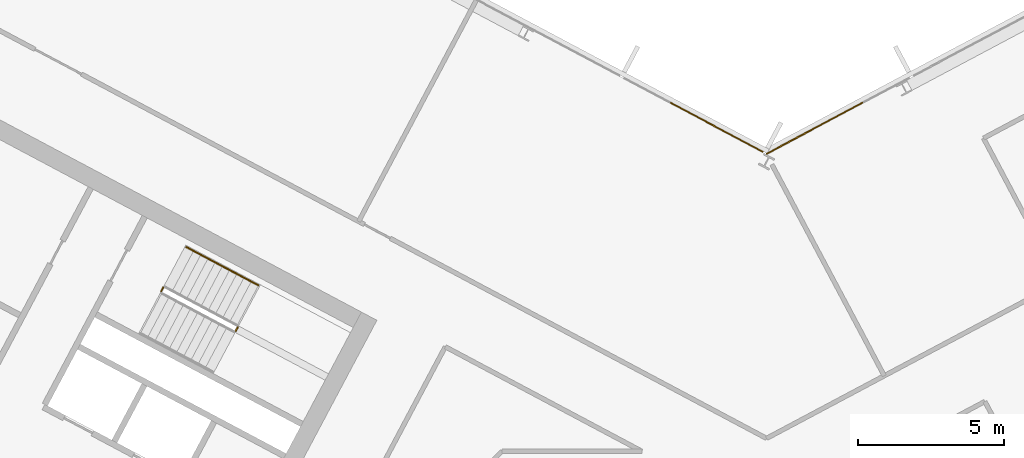
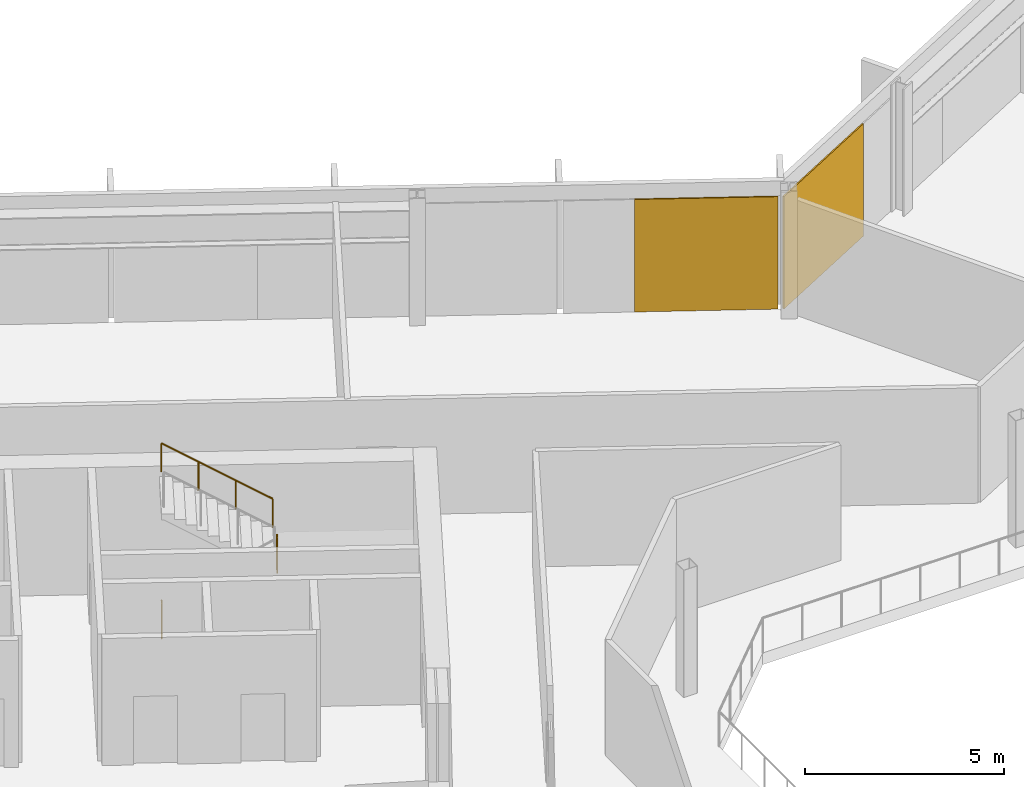
# One storey, part 23 of 27: 3 railings, 2 coverings, 2 elements without a shape of their own.
"""IFC4 building model written with IfcOpenShell, lengths in metres."""

from ifc_helpers import new_model, si_unit, direction, frame, origin, origin_2d, place, context, subcontext, project, spatial, polyline, rectangle, outline, extrude, material, layer, layer_set, type_object, element, aggregate, save


model = new_model("IFC4")

# Units and contexts
model_context = context("Model", 3, precision=1e-05, world=origin(), true_north=direction((0.0, 1.0)))
body_context = subcontext(model_context, "Body", "Model", "MODEL_VIEW")
ifc_project = project(units=[si_unit("LENGTHUNIT", "METRE"), si_unit("AREAUNIT", "SQUARE_METRE"), si_unit("VOLUMEUNIT", "CUBIC_METRE"), si_unit("PLANEANGLEUNIT", "RADIAN"), si_unit("MASSUNIT", "GRAM", prefix="KILO")], contexts=[model_context])

# Site, building, storey
site_placement = place(None, origin())
site = spatial("IfcSite", under=ifc_project, at=site_placement, CompositionType="ELEMENT")
building_placement = place(site_placement, origin())
building = spatial("IfcBuilding", under=site, at=building_placement, Name="Cormorant Relay Tower", CompositionType="ELEMENT")
storey_placement = place(building_placement, frame((0.0, 0.0, 240.300048828125)))
storey = spatial("IfcBuildingStorey", under=building, at=storey_placement, Name="L53", CompositionType="ELEMENT", Elevation=240.300048828125)

# Curtain wall, covering
ifc_material_1 = material(Name="Aluminium 6063-T6 anodised bronze", Category="aluminium")
ifc_layer_1 = layer(ifc_material_1, 0.199951171875)
ifc_layer_set_1 = layer_set([ifc_layer_1], Name="CW1 unitised bronze curtain wall with vertical fins")
curtain_wall_type = type_object("IfcCurtainWallType", Name="CW1 unitised bronze curtain wall with vertical fins", PredefinedType="NOTDEFINED", material=ifc_layer_set_1)
curtain_wall_1_placement = place(storey_placement, origin())
curtain_wall_1 = element("IfcCurtainWall", 1, at=curtain_wall_1_placement, inside=storey, type_object=curtain_wall_type, Name="CW1 curtain wall 8", PredefinedType="NOTDEFINED")
ifc_material_2 = material(Name="Pale bronze anodised aluminium insulated panel", Category="aluminium")
ifc_layer_2 = layer(ifc_material_2, 0.0400390625)
ifc_layer_set_2 = layer_set([ifc_layer_2], Name="CW1 pale bronze insulated panel 40")
covering_type = type_object("IfcCoveringType", Name="CW1 pale bronze insulated panel 40", PredefinedType="CLADDING", material=ifc_layer_set_2)
covering_1_placement = place(storey_placement, frame((1.65234375, 24.685302734375, 0.0), z_axis=(0.0, 0.0, 1.0), x_axis=(-0.882947592859, -0.469471562786, 0.0)))
covering_1 = element("IfcCovering", 2, at=covering_1_placement, type_object=covering_type, Name="CW1 panel S08", PredefinedType="CLADDING", context=body_context, shape_type="SweptSolid", body=[
    extrude(rectangle(XDim=3.763916015625, YDim=0.0400390625, at=origin_2d()), origin(), (0.0, 0.0, 1.0), 3.449951171875),
])
aggregate(curtain_wall_1, [covering_1])

curtain_wall_2_placement = place(storey_placement, origin())
curtain_wall_2 = element("IfcCurtainWall", 3, at=curtain_wall_2_placement, inside=storey, type_object=curtain_wall_type, Name="CW1 curtain wall 9", PredefinedType="NOTDEFINED")
covering_2_placement = place(storey_placement, frame((-1.718505859375, 24.720458984375, 0.0), z_axis=(0.0, 0.0, 1.0), x_axis=(-0.882947592859, 0.469471562786, 0.0)))
covering_2 = element("IfcCovering", 4, at=covering_2_placement, type_object=covering_type, Name="CW1 panel S00", PredefinedType="CLADDING", context=body_context, shape_type="SweptSolid", body=[
    extrude(rectangle(XDim=3.614013671875, YDim=0.0400390625, at=origin_2d()), origin(), (0.0, 0.0, 1.0), 3.449951171875),
])
aggregate(curtain_wall_2, [covering_2])

# Railings
ifc_material_3 = material(Name="Steel ASTM A572 Grade 50 (Fy 345 MPa)", Category="steel")
railing_type_1 = type_object("IfcRailingType", Name="Stair guard 1100", PredefinedType="GUARDRAIL", material=ifc_material_3)
railing_1_placement = place(storey_placement, frame((-18.210693359375, 17.72412109375, 1.949951171875)))
element("IfcRailing", 5, at=railing_1_placement, inside=storey, type_object=railing_type_1, Name="L53 A1 stair guard 2", PredefinedType="GUARDRAIL", context=body_context, shape_type="SweptSolid", body=[
    extrude(outline(polyline([(0.022216796875, 0.00927734375), (0.00927734375, 0.022216796875), (-0.00927734375, 0.022216796875), (-0.022216796875, 0.00927734375), (-0.022216796875, -0.00927734375), (-0.00927734375, -0.022216796875), (0.00927734375, -0.022216796875), (0.022216796875, -0.00927734375), (0.022216796875, 0.00927734375)])), frame((0.0, 0.0, 1.076171875), z_axis=(0.470503732759, 0.882398003998, 0.0), x_axis=(-0.882398003998, 0.470503732759, 0.0)), (0.0, 0.0, 1.0), 0.14990234375),
    extrude(outline(polyline([(0.019287109375, 0.008056640625), (0.008056640625, 0.019287109375), (-0.008056640625, 0.019287109375), (-0.019287109375, 0.008056640625), (-0.019287109375, -0.008056640625), (-0.008056640625, -0.019287109375), (0.008056640625, -0.019287109375), (0.019287109375, -0.008056640625), (0.019287109375, 0.008056640625)])), origin(), (0.0, 0.0, 1.0), 1.052001953125),
    extrude(outline(polyline([(0.019287109375, 0.008056640625), (0.008056640625, 0.019287109375), (-0.008056640625, 0.019287109375), (-0.019287109375, 0.008056640625), (-0.019287109375, -0.008056640625), (-0.008056640625, -0.019287109375), (0.008056640625, -0.019287109375), (0.019287109375, -0.008056640625), (0.019287109375, 0.008056640625)])), frame((0.070556640625, 0.13232421875, 0.0)), (0.0, 0.0, 1.0), 1.052001953125),
])
railing_2_placement = place(storey_placement, frame((-20.771240234375, 19.08544921875, 0.0)))
element("IfcRailing", 6, at=railing_2_placement, inside=storey, type_object=railing_type_1, Name="L53 A1 stair guard 4", PredefinedType="GUARDRAIL", context=body_context, shape_type="SweptSolid", body=[
    extrude(outline(polyline([(0.022216796875, 0.00927734375), (0.00927734375, 0.022216796875), (-0.00927734375, 0.022216796875), (-0.022216796875, 0.00927734375), (-0.022216796875, -0.00927734375), (-0.00927734375, -0.022216796875), (0.00927734375, -0.022216796875), (0.022216796875, -0.00927734375), (0.022216796875, 0.00927734375)])), frame((0.0, 0.0, 1.076171875), z_axis=(0.469828648786, 0.882757634224, 0.0), x_axis=(-0.882757634224, 0.469828648786, 0.0)), (0.0, 0.0, 1.0), 0.150146484375),
    extrude(outline(polyline([(0.019287109375, 0.008056640625), (0.008056640625, 0.019287109375), (-0.008056640625, 0.019287109375), (-0.019287109375, 0.008056640625), (-0.019287109375, -0.008056640625), (-0.008056640625, -0.019287109375), (0.008056640625, -0.019287109375), (0.019287109375, -0.008056640625), (0.019287109375, 0.008056640625)])), origin(), (0.0, 0.0, 1.0), 1.052001953125),
    extrude(outline(polyline([(0.019287109375, 0.008056640625), (0.008056640625, 0.019287109375), (-0.008056640625, 0.019287109375), (-0.019287109375, 0.008056640625), (-0.019287109375, -0.008056640625), (-0.008056640625, -0.019287109375), (0.008056640625, -0.019287109375), (0.019287109375, -0.008056640625), (0.019287109375, 0.008056640625)])), frame((0.070556640625, 0.132568359375, 0.0)), (0.0, 0.0, 1.0), 1.052001953125),
])
ifc_material_4 = material(Name="Steel ASTM A572 Grade 50 (Fy 345 MPa)", Category="steel")
railing_type_2 = type_object("IfcRailingType", Name="Stair handrail 900", PredefinedType="HANDRAIL", material=ifc_material_4)
railing_3_placement = place(storey_placement, frame((-17.433349609375, 19.292724609375, 2.127197265625)))
element("IfcRailing", 7, at=railing_3_placement, inside=storey, type_object=railing_type_2, Name="L53 A1 stair handrail 2", PredefinedType="HANDRAIL", context=body_context, shape_type="SweptSolid", body=[
    extrude(outline(polyline([(0.022216796875, 0.00927734375), (0.00927734375, 0.022216796875), (-0.00927734375, 0.022216796875), (-0.022216796875, 0.00927734375), (-0.022216796875, -0.00927734375), (-0.00927734375, -0.022216796875), (0.00927734375, -0.022216796875), (0.022216796875, -0.00927734375), (0.022216796875, 0.00927734375)])), frame((0.0, 0.0, 0.8759765625), z_axis=(-0.746001213114, 0.396649272309, 0.534931345884), x_axis=(-0.469465464807, -0.882950835185, 0.0)), (0.0, 0.0, 1.0), 3.31396484375),
    extrude(outline(polyline([(0.019287109375, 0.008056640625), (0.008056640625, 0.019287109375), (-0.008056640625, 0.019287109375), (-0.019287109375, 0.008056640625), (-0.019287109375, -0.008056640625), (-0.008056640625, -0.019287109375), (0.008056640625, -0.019287109375), (0.019287109375, -0.008056640625), (0.019287109375, 0.008056640625)])), origin(), (0.0, 0.0, 1.0), 0.851806640625),
    extrude(outline(polyline([(0.019287109375, 0.008056640625), (0.008056640625, 0.019287109375), (-0.008056640625, 0.019287109375), (-0.019287109375, 0.008056640625), (-0.019287109375, -0.008056640625), (-0.008056640625, -0.019287109375), (0.008056640625, -0.019287109375), (0.019287109375, -0.008056640625), (0.019287109375, 0.008056640625)])), frame((-0.823974609375, 0.438232421875, 0.5908203125)), (0.0, 0.0, 1.0), 0.851806640625),
    extrude(outline(polyline([(0.019287109375, 0.008056640625), (0.008056640625, 0.019287109375), (-0.008056640625, 0.019287109375), (-0.019287109375, 0.008056640625), (-0.019287109375, -0.008056640625), (-0.008056640625, -0.019287109375), (0.008056640625, -0.019287109375), (0.019287109375, -0.008056640625), (0.019287109375, 0.008056640625)])), frame((-1.648193359375, 0.876220703125, 1.181884765625)), (0.0, 0.0, 1.0), 0.851806640625),
    extrude(outline(polyline([(0.019287109375, 0.008056640625), (0.008056640625, 0.019287109375), (-0.008056640625, 0.019287109375), (-0.019287109375, 0.008056640625), (-0.019287109375, -0.008056640625), (-0.008056640625, -0.019287109375), (0.008056640625, -0.019287109375), (0.019287109375, -0.008056640625), (0.019287109375, 0.008056640625)])), frame((-2.47216796875, 1.314453125, 1.772705078125)), (0.0, 0.0, 1.0), 0.851806640625),
])

save(model, "model.ifc")
